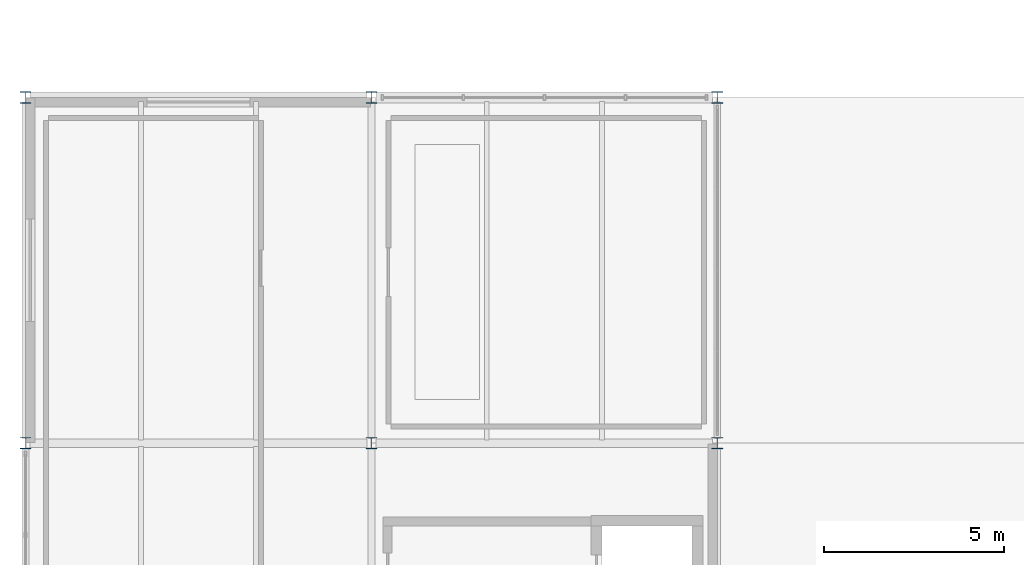
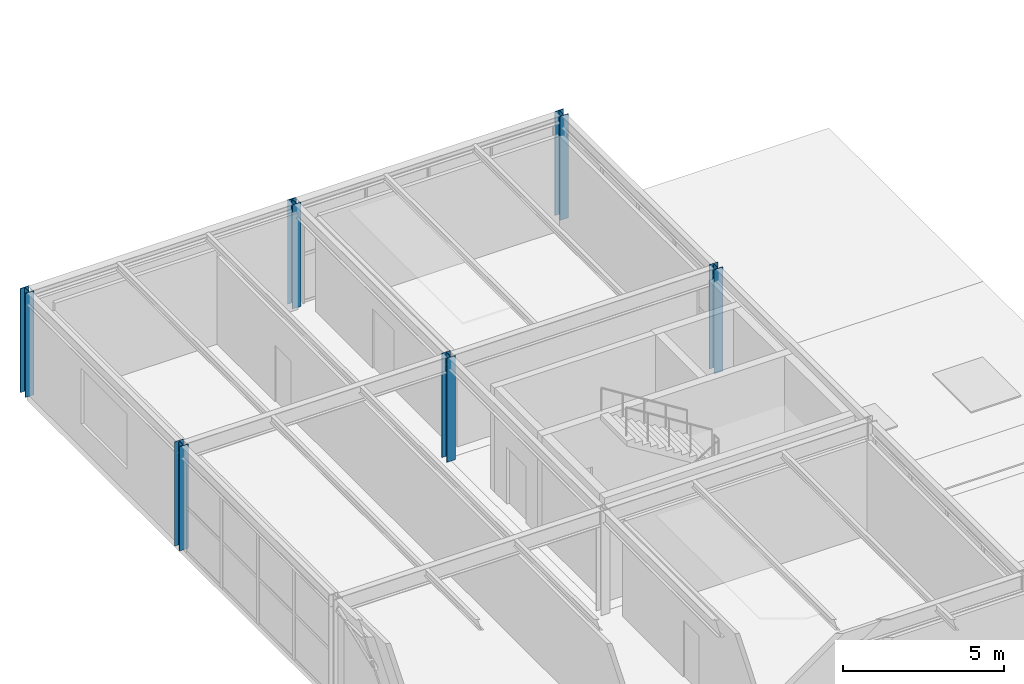
# One storey, part 3 of 50: 6 columns.
"""IFC4 building model written with IfcOpenShell, lengths in metres."""

from ifc_helpers import new_model, si_unit, direction, frame, origin, origin_2d, place, context, subcontext, project, spatial, i_section, extrude, material, material_profile, profile_set, type_object, element, save


model = new_model("IFC4")

# Units and contexts
model_context = context("Model", 3, precision=1e-05, world=origin(), true_north=direction((0.0, 1.0)))
body_context = subcontext(model_context, "Body", "Model", "MODEL_VIEW")
ifc_project = project(units=[si_unit("LENGTHUNIT", "METRE"), si_unit("AREAUNIT", "SQUARE_METRE"), si_unit("VOLUMEUNIT", "CUBIC_METRE"), si_unit("PLANEANGLEUNIT", "RADIAN"), si_unit("MASSUNIT", "GRAM", prefix="KILO")], contexts=[model_context])

# Site, building, storey
site_placement = place(None, origin())
site = spatial("IfcSite", under=ifc_project, at=site_placement, CompositionType="ELEMENT")
building_placement = place(site_placement, origin())
building = spatial("IfcBuilding", under=site, at=building_placement, Name="Coralgate Yard Interchange", CompositionType="ELEMENT")
storey_placement = place(building_placement, frame((0.0, 0.0, 14.699951171875)))
storey = spatial("IfcBuildingStorey", under=building, at=storey_placement, Name="L03", CompositionType="ELEMENT", Elevation=14.699951171875)

# Columns
ifc_material = material(Name="Structural steel S355J2", Category="steel")
ifc_material_profile = material_profile(ifc_material, i_section(OverallWidth=0.311279296875, OverallDepth=0.3271484375, WebThickness=0.015869140625, FlangeThickness=0.02490234375, FilletRadius=0.01513671875, at=origin_2d()), Name="UC 305x305x158")
ifc_profile_set = profile_set([ifc_material_profile], Name="Structural steel S355J2")
column_type = type_object("IfcColumnType", Name="COL-SC-5", PredefinedType="COLUMN", material=ifc_profile_set)
for number, where, z_axis, x_axis, name in (
    (1, (0.0, 38.39990234375, 0.0), (0.0, 0.0, 1.0), (1.0, 0.0, 0.0), "L03 structural column 0-4"),
    (2, (0.0, 48.0, 0.0), (0.0, 0.0, 1.0), (1.0, 0.0, 0.0), "L03 structural column 0-5"),
    (3, (9.60009765625, 38.39990234375, 0.0), (0.0, 0.0, 1.0), (1.0, 0.0, 0.0), "L03 structural column 1-4"),
    (4, (9.60009765625, 48.0, 0.0), (0.0, 0.0, 1.0), (1.0, 0.0, 0.0), "L03 structural column 1-5"),
    (5, (19.199951171875, 38.39990234375, 0.0), (0.0, 0.0, 1.0), (1.0, 0.0, 0.0), "L03 structural column 2-4"),
    (6, (19.199951171875, 48.0, 0.0), (0.0, 0.0, 1.0), (1.0, 0.0, 0.0), "L03 structural column 2-5"),
):
    element("IfcColumn", number, at=place(storey_placement, frame(where, z_axis=z_axis, x_axis=x_axis)), inside=storey, type_object=column_type, Name=name, PredefinedType="COLUMN", context=body_context, shape_type="SweptSolid", body=[
        extrude(i_section(OverallWidth=0.311279296875, OverallDepth=0.3271484375, WebThickness=0.015869140625, FlangeThickness=0.02490234375, FilletRadius=0.01513671875, at=origin_2d()), origin(), (0.0, 0.0, 1.0), 3.949951171875),
    ])

save(model, "model.ifc")
